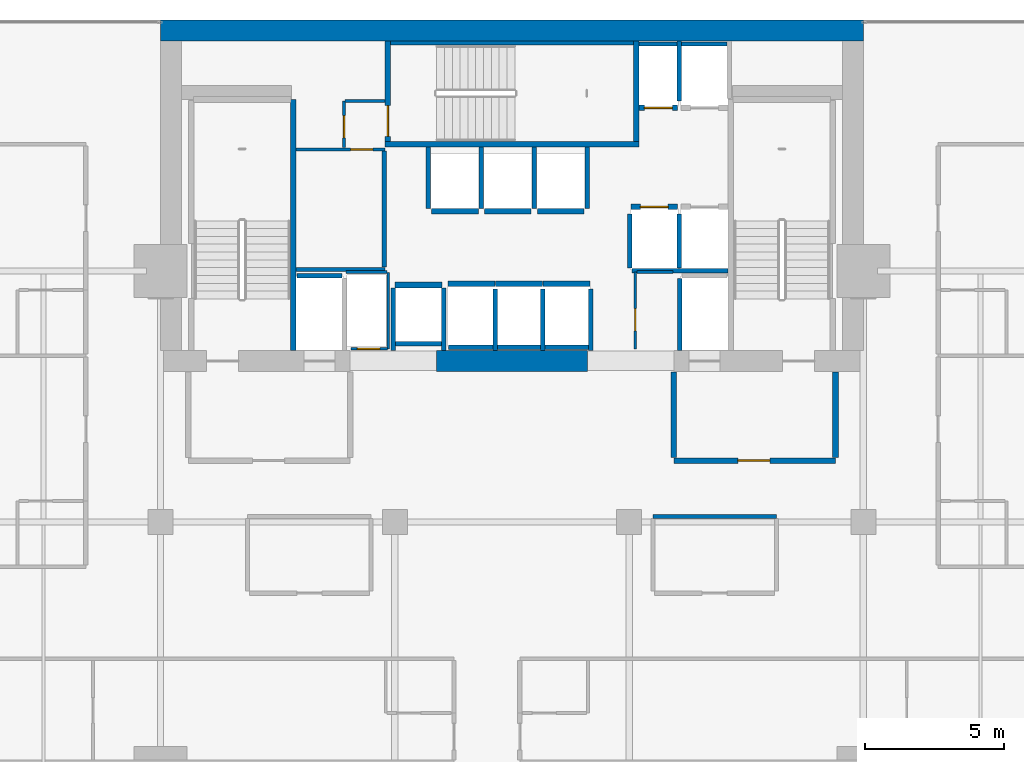
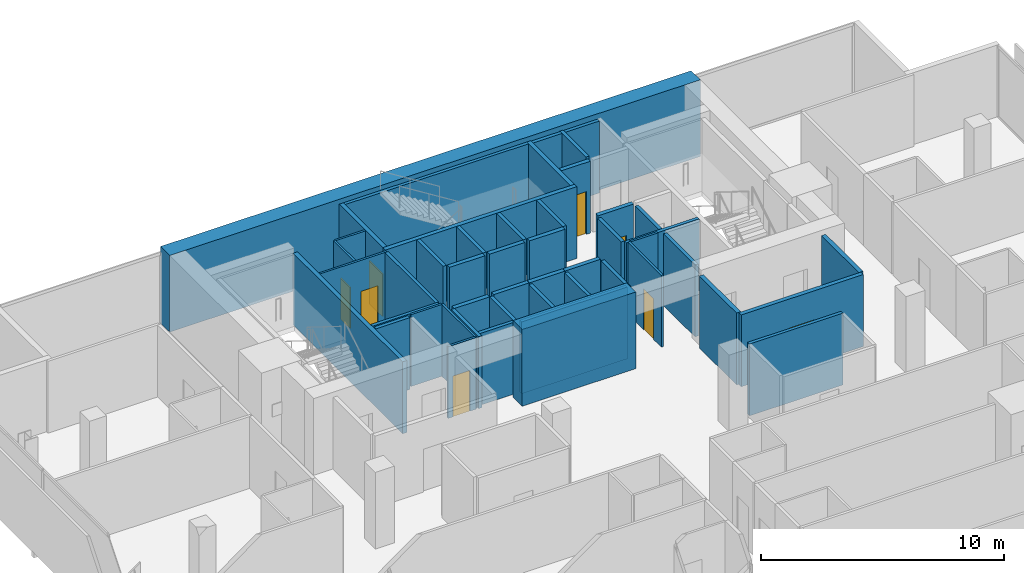
# One storey, part 30 of 34: 48 walls, 8 doors, 8 openings.
"""IFC4 building model written with IfcOpenShell, lengths in metres."""

from ifc_helpers import new_model, si_unit, direction, frame, frame_2d, origin, place, context, subcontext, project, spatial, rectangle, extrude, material, layer, layer_set, type_object, element, fill, save


model = new_model("IFC4")

# Units and contexts
model_context = context("Model", 3, precision=1e-05, world=origin(), true_north=direction((0.0, 1.0)))
body_context = subcontext(model_context, "Body", "Model", "MODEL_VIEW")
ifc_project = project(units=[si_unit("LENGTHUNIT", "METRE"), si_unit("AREAUNIT", "SQUARE_METRE"), si_unit("VOLUMEUNIT", "CUBIC_METRE"), si_unit("PLANEANGLEUNIT", "RADIAN"), si_unit("MASSUNIT", "GRAM", prefix="KILO")], contexts=[model_context])

# Site, building, storey
site_placement = place(None, origin())
site = spatial("IfcSite", under=ifc_project, at=site_placement, CompositionType="ELEMENT")
building_placement = place(site_placement, origin())
building = spatial("IfcBuilding", under=site, at=building_placement, Name="Maruvema Waterfront Hotel and Observation Tower", CompositionType="ELEMENT")
storey_placement = place(building_placement, frame((0.0, 0.0, 189.0)))
storey = spatial("IfcBuildingStorey", under=building, at=storey_placement, Name="L46", CompositionType="ELEMENT", Elevation=189.0)

# Walls
ifc_material_1 = material(Name="Twin-stud acoustic gypsum drywall", Category="gypsum")
ifc_layer_1 = layer(ifc_material_1, 0.14990234375, Name="Acoustic Corridor and Suite Demising Wall 150 mm")
ifc_layer_set_1 = layer_set([ifc_layer_1], Name="Twin-stud acoustic gypsum drywall")
wall_type_1 = type_object("IfcWallType", Name="Acoustic Corridor and Suite Demising Wall 150 mm", PredefinedType="PARTITIONING", material=ifc_layer_set_1)
wall_1_placement = place(storey_placement, frame((30.06005859375, 45.06005859375, 0.0), z_axis=(0.0, 0.0, 1.0), x_axis=(1.0, 0.0, 0.0)))
element("IfcWall", 1, at=wall_1_placement, inside=storey, type_object=wall_type_1, Name="L46 Freed B1 South Wall 012", PredefinedType="PARTITIONING", context=body_context, shape_type="SweptSolid", body=[
    extrude(rectangle(XDim=3.179931640625, YDim=0.14990234375, at=frame_2d((1.58984375, 0.0))), origin(), (0.0, 0.0, 1.0), 3.610107421875),
])
wall_2_placement = place(storey_placement, frame((33.219970703125, 45.139892578125, 0.0), z_axis=(0.0, 0.0, 1.0), x_axis=(0.0, 1.0, 0.0)))
element("IfcWall", 2, at=wall_2_placement, inside=storey, type_object=wall_type_1, Name="L46 Freed B1 East Wall 013", PredefinedType="PARTITIONING", context=body_context, shape_type="SweptSolid", body=[
    extrude(rectangle(XDim=4.16015625, YDim=0.14990234375, at=frame_2d((2.080078125, 0.0))), origin(), (0.0, 0.0, 1.0), 3.610107421875),
])
wall_3_placement = place(storey_placement, frame((42.85009765625, 36.199951171875, 0.0), z_axis=(0.0, 0.0, 1.0), x_axis=(1.0, 0.0, 0.0)))
element("IfcWall", 3, at=wall_3_placement, inside=storey, type_object=wall_type_1, Name="L46 L46-M2 Back Wall 021", PredefinedType="PARTITIONING", context=body_context, shape_type="SweptSolid", body=[
    extrude(rectangle(XDim=4.429931640625, YDim=0.14990234375, at=frame_2d((2.21484375, 0.0))), origin(), (0.0, 0.0, 1.0), 3.610107421875),
])
ifc_material_2 = material(Name="Precast concrete C45/55", Category="concrete")
ifc_layer_2 = layer(ifc_material_2, 0.14990234375, Name="Core Shaft Furring Wall 150 mm")
ifc_layer_set_2 = layer_set([ifc_layer_2], Name="Precast concrete C45/55")
wall_type_2 = type_object("IfcWallType", Name="Core Shaft Furring Wall 150 mm", PredefinedType="SOLIDWALL", material=ifc_layer_set_2)
wall_4_placement = place(storey_placement, frame((33.449951171875, 53.175048828125, 0.0), z_axis=(0.0, 0.0, 1.0), x_axis=(1.0, 0.0, 0.0)))
element("IfcWall", 4, at=wall_4_placement, inside=storey, type_object=wall_type_2, Name="L46 Stairwell ST-02 North Furring Wall", PredefinedType="SOLIDWALL", context=body_context, shape_type="SweptSolid", body=[
    extrude(rectangle(XDim=8.699951171875, YDim=0.14990234375, at=frame_2d((4.35009765625, 0.0))), origin(), (0.0, 0.0, 1.0), 3.610107421875),
])
ifc_material_3 = material(Name="Precast concrete C45/55", Category="concrete")
ifc_layer_3 = layer(ifc_material_3, 0.199951171875, Name="Core Shaft and Stairwell Enclosure Wall 200 mm")
ifc_layer_set_3 = layer_set([ifc_layer_3], Name="Precast concrete C45/55")
wall_type_3 = type_object("IfcWallType", Name="Core Shaft and Stairwell Enclosure Wall 200 mm", PredefinedType="SOLIDWALL", material=ifc_layer_set_3)
wall_5_placement = place(storey_placement, frame((29.949951171875, 42.14990234375, 0.0), z_axis=(0.0, 0.0, 1.0), x_axis=(0.0, 1.0, 0.0)))
element("IfcWall", 5, at=wall_5_placement, inside=storey, type_object=wall_type_3, Name="L46 Stairwell ST-01 East Shaft Wall", PredefinedType="SOLIDWALL", context=body_context, shape_type="SweptSolid", body=[
    extrude(rectangle(XDim=9.0, YDim=0.199951171875, at=frame_2d((4.5, 0.0))), origin(), (0.0, 0.0, 1.0), 3.610107421875),
])
wall_6_placement = place(storey_placement, frame((33.25, 49.550048828125, 0.0), z_axis=(0.0, 0.0, 1.0), x_axis=(1.0, 0.0, 0.0)))
element("IfcWall", 6, at=wall_6_placement, inside=storey, type_object=wall_type_3, Name="L46 Stairwell ST-02 Shaft Wall", PredefinedType="SOLIDWALL", context=body_context, shape_type="SweptSolid", body=[
    extrude(rectangle(XDim=9.10009765625, YDim=0.199951171875, at=frame_2d((4.550048828125, 0.0))), origin(), (0.0, 0.0, 1.0), 3.610107421875),
])
wall_7_placement = place(storey_placement, frame((42.25, 49.64990234375, 0.0), z_axis=(0.0, 0.0, 1.0), x_axis=(0.0, 1.0, 0.0)))
element("IfcWall", 7, at=wall_7_placement, inside=storey, type_object=wall_type_3, Name="L46 Stairwell ST-02 Shaft Wall", PredefinedType="SOLIDWALL", context=body_context, shape_type="SweptSolid", body=[
    extrude(rectangle(XDim=3.60009765625, YDim=0.199951171875, at=frame_2d((1.800048828125, 0.0))), origin(), (0.0, 0.0, 1.0), 3.610107421875),
])

# Wall, opening, door
wall_8_placement = place(storey_placement, frame((33.35009765625, 49.64990234375, 0.0), z_axis=(0.0, 0.0, 1.0), x_axis=(0.0, 1.0, 0.0)))
wall_8 = element("IfcWall", 8, at=wall_8_placement, inside=storey, type_object=wall_type_3, Name="L46 Stairwell ST-02 Shaft Wall", PredefinedType="SOLIDWALL", context=body_context, shape_type="SweptSolid", body=[
    extrude(rectangle(XDim=3.60009765625, YDim=0.199951171875, at=frame_2d((1.800048828125, 0.0))), origin(), (0.0, 0.0, 1.0), 3.610107421875),
])
opening_1_placement = place(wall_8_placement, frame((0.179931640625, 0.0, 0.0)))
opening_1 = element("IfcOpeningElement", 9, at=opening_1_placement, cuts=wall_8, Name="Opening SD-02", PredefinedType="OPENING", context=body_context, shape_type="SweptSolid", body=[
    extrude(rectangle(XDim=1.10009765625, YDim=2.14990234375, at=frame_2d((0.550048828125, 1.074951171875))), frame((0.0, 0.10986328125, 0.0), z_axis=(0.0, -1.0, 0.0), x_axis=(1.0, 0.0, 0.0)), (0.0, 0.0, 1.0), 0.219970703125),
])
ifc_material_4 = material(Name="Fire-rated galvanised steel leaf", Category="steel")
door_type_1 = type_object("IfcDoorType", Name="Central Exit Stair Fire Door 1100x2150 mm", OperationType="NOTDEFINED", PredefinedType="DOOR", material=ifc_material_4)
door_1_placement = place(opening_1_placement, frame((1.10009765625, 0.0, 0.0), z_axis=(0.0, 0.0, 1.0), x_axis=(-1.0, 0.0, 0.0)))
door_1 = element("IfcDoor", 10, at=door_1_placement, inside=storey, type_object=door_type_1, Name="L46 Exit Stair ST-02 Fire Door", OperationType="SINGLE_SWING_LEFT", OverallHeight=2.14990234375, OverallWidth=1.10009765625, PredefinedType="DOOR", context=body_context, shape_type="SweptSolid", body=[
    extrude(rectangle(XDim=1.10009765625, YDim=2.14990234375, at=frame_2d((0.550048828125, 1.074951171875))), frame((0.0, 0.02490234375, 0.0), z_axis=(0.0, -1.0, 0.0), x_axis=(1.0, 0.0, 0.0)), (0.0, 0.0, 1.0), 0.050048828125),
])
fill(opening_1, door_1)

wall_9_placement = place(storey_placement, frame((42.06005859375, 47.300048828125, 0.0), z_axis=(0.0, 0.0, 1.0), x_axis=(1.0, 0.0, 0.0)))
wall_9 = element("IfcWall", 11, at=wall_9_placement, inside=storey, type_object=wall_type_3, Name="L46 Lift LF-05 Hoistway Front Wall", PredefinedType="SOLIDWALL", context=body_context, shape_type="SweptSolid", body=[
    extrude(rectangle(XDim=1.679931640625, YDim=0.199951171875, at=frame_2d((0.83984375, 0.0))), origin(), (0.0, 0.0, 1.0), 3.610107421875),
])
opening_2_placement = place(wall_9_placement, frame((0.340087890625, 0.0, 0.0)))
opening_2 = element("IfcOpeningElement", 12, at=opening_2_placement, cuts=wall_9, Name="Opening LD-01", PredefinedType="OPENING", context=body_context, shape_type="SweptSolid", body=[
    extrude(rectangle(XDim=1.0, YDim=2.14990234375, at=frame_2d((0.5, 1.074951171875))), frame((0.0, 0.10986328125, 0.0), z_axis=(0.0, -1.0, 0.0), x_axis=(1.0, 0.0, 0.0)), (0.0, 0.0, 1.0), 0.219970703125),
])
ifc_material_5 = material(Name="Brushed stainless steel Grade 316", Category="steel")
door_type_2 = type_object("IfcDoorType", Name="Passenger Lift Sliding Landing Door 1000x2150 mm", OperationType="SLIDING_TO_LEFT", PredefinedType="DOOR", material=ifc_material_5)
door_2_placement = place(opening_2_placement, origin())
door_2 = element("IfcDoor", 13, at=door_2_placement, inside=storey, type_object=door_type_2, Name="L46 Lift LF-05 Sliding Landing Door", OperationType="SLIDING_TO_LEFT", OverallHeight=2.14990234375, OverallWidth=1.0, PredefinedType="DOOR", context=body_context, shape_type="SweptSolid", body=[
    extrude(rectangle(XDim=1.0, YDim=2.14990234375, at=frame_2d((0.5, 1.074951171875))), frame((0.0, 0.02490234375, 0.0), z_axis=(0.0, -1.0, 0.0), x_axis=(1.0, 0.0, 0.0)), (0.0, 0.0, 1.0), 0.050048828125),
])
fill(opening_2, door_2)

wall_10_placement = place(storey_placement, frame((42.360107421875, 50.85009765625, 0.0), z_axis=(0.0, 0.0, 1.0), x_axis=(1.0, 0.0, 0.0)))
wall_10 = element("IfcWall", 14, at=wall_10_placement, inside=storey, type_object=wall_type_3, Name="L46 Lift LF-07 Hoistway Front Wall", PredefinedType="SOLIDWALL", context=body_context, shape_type="SweptSolid", body=[
    extrude(rectangle(XDim=1.3798828125, YDim=0.199951171875, at=frame_2d((0.68994140625, 0.0))), origin(), (0.0, 0.0, 1.0), 3.610107421875),
])
opening_3_placement = place(wall_10_placement, frame((0.18994140625, 0.0, 0.0)))
opening_3 = element("IfcOpeningElement", 15, at=opening_3_placement, cuts=wall_10, Name="Opening LD-01", PredefinedType="OPENING", context=body_context, shape_type="SweptSolid", body=[
    extrude(rectangle(XDim=1.0, YDim=2.14990234375, at=frame_2d((0.5, 1.074951171875))), frame((0.0, 0.10986328125, 0.0), z_axis=(0.0, -1.0, 0.0), x_axis=(1.0, 0.0, 0.0)), (0.0, 0.0, 1.0), 0.219970703125),
])
door_3_placement = place(opening_3_placement, frame((1.0, 0.0, 0.0), z_axis=(0.0, 0.0, 1.0), x_axis=(-1.0, 0.0, 0.0)))
door_3 = element("IfcDoor", 16, at=door_3_placement, inside=storey, type_object=door_type_2, Name="L46 Lift LF-07 Sliding Landing Door", OperationType="SLIDING_TO_LEFT", OverallHeight=2.14990234375, OverallWidth=1.0, PredefinedType="DOOR", context=body_context, shape_type="SweptSolid", body=[
    extrude(rectangle(XDim=1.0, YDim=2.14990234375, at=frame_2d((0.5, 1.074951171875))), frame((0.0, 0.02490234375, 0.0), z_axis=(0.0, -1.0, 0.0), x_axis=(1.0, 0.0, 0.0)), (0.0, 0.0, 1.0), 0.050048828125),
])
fill(opening_3, door_3)

# Walls
for number, where, z_axis, x_axis, name in (
    (17, (35.510009765625, 44.550048828125, 0.0), (0.0, 0.0, 1.0), (1.0, 0.0, 0.0), "L46 Lift LF-09 Hoistway Front Wall"),
    (18, (37.2099609375, 44.550048828125, 0.0), (0.0, 0.0, 1.0), (1.0, 0.0, 0.0), "L46 Lift LF-10 Hoistway Front Wall"),
):
    element("IfcWall", number, at=place(storey_placement, frame(where, z_axis=z_axis, x_axis=x_axis)), inside=storey, type_object=wall_type_3, Name=name, PredefinedType="SOLIDWALL", context=body_context, shape_type="SweptSolid", body=[
        extrude(rectangle(XDim=1.679931640625, YDim=0.199951171875, at=frame_2d((0.83984375, 0.0))), origin(), (0.0, 0.0, 1.0), 3.610107421875),
    ])
for number, where, z_axis, x_axis, name in (
    (19, (38.909912109375, 44.550048828125, 0.0), (0.0, 0.0, 1.0), (1.0, 0.0, 0.0), "L46 Lift LF-11 Hoistway Front Wall"),
    (20, (34.909912109375, 47.14990234375, 0.0), (0.0, 0.0, 1.0), (1.0, 0.0, 0.0), "L46 Lift LF-12 Hoistway Front Wall"),
):
    element("IfcWall", number, at=place(storey_placement, frame(where, z_axis=z_axis, x_axis=x_axis)), inside=storey, type_object=wall_type_3, Name=name, PredefinedType="SOLIDWALL", context=body_context, shape_type="SweptSolid", body=[
        extrude(rectangle(XDim=1.68017578125, YDim=0.199951171875, at=frame_2d((0.840087890625, 0.0))), origin(), (0.0, 0.0, 1.0), 3.610107421875),
    ])
for number, where, z_axis, x_axis, name in (
    (21, (36.81005859375, 47.14990234375, 0.0), (0.0, 0.0, 1.0), (1.0, 0.0, 0.0), "L46 Lift LF-13 Hoistway Front Wall"),
    (22, (38.7099609375, 47.14990234375, 0.0), (0.0, 0.0, 1.0), (1.0, 0.0, 0.0), "L46 Lift LF-14 Hoistway Front Wall"),
    (23, (33.610107421875, 44.5, 0.0), (0.0, 0.0, 1.0), (1.0, 0.0, 0.0), "L46 Lift LF-15 Hoistway Front Wall"),
):
    element("IfcWall", number, at=place(storey_placement, frame(where, z_axis=z_axis, x_axis=x_axis)), inside=storey, type_object=wall_type_3, Name=name, PredefinedType="SOLIDWALL", context=body_context, shape_type="SweptSolid", body=[
        extrude(rectangle(XDim=1.679931640625, YDim=0.199951171875, at=frame_2d((0.83984375, 0.0))), origin(), (0.0, 0.0, 1.0), 3.610107421875),
    ])
ifc_material_6 = material(Name="Concrete C70/85", Category="concrete")
ifc_layer_4 = layer(ifc_material_6, 0.75, Name="Core Shear Wall 750 mm")
ifc_layer_set_4 = layer_set([ifc_layer_4], Name="Concrete C70/85")
wall_type_4 = type_object("IfcWallType", Name="Core Shear Wall 750 mm", PredefinedType="SHEAR", material=ifc_layer_set_4)
wall_11_placement = place(storey_placement, frame((25.199951171875, 53.625, 0.0), z_axis=(0.0, 0.0, 1.0), x_axis=(1.0, 0.0, 0.0)))
element("IfcWall", 24, at=wall_11_placement, inside=storey, type_object=wall_type_4, Name="L46 North Core Shear Wall", PredefinedType="SHEAR", context=body_context, shape_type="SweptSolid", body=[
    extrude(rectangle(XDim=25.199951171875, YDim=0.75, at=frame_2d((12.60009765625, 0.0))), origin(), (0.0, 0.0, 1.0), 3.85009765625),
])
wall_12_placement = place(storey_placement, frame((35.10009765625, 41.77490234375, 0.0), z_axis=(0.0, 0.0, 1.0), x_axis=(1.0, 0.0, 0.0)))
element("IfcWall", 25, at=wall_12_placement, inside=storey, type_object=wall_type_4, Name="L46 South-Central Core Shear Wall", PredefinedType="SHEAR", context=body_context, shape_type="SweptSolid", body=[
    extrude(rectangle(XDim=5.39990234375, YDim=0.75, at=frame_2d((2.699951171875, 0.0))), origin(), (0.0, 0.0, 1.0), 3.85009765625),
])

# Wall, opening, door
ifc_material_7 = material(Name="Moisture-resistant cement-board drywall", Category="gypsum")
ifc_layer_5 = layer(ifc_material_7, 0.10009765625, Name="En-Suite Moisture-Resistant Partition 100 mm")
ifc_layer_set_5 = layer_set([ifc_layer_5], Name="Moisture-resistant cement-board drywall")
wall_type_5 = type_object("IfcWallType", Name="En-Suite Moisture-Resistant Partition 100 mm", PredefinedType="PARTITIONING", material=ifc_layer_set_5)
wall_13_placement = place(storey_placement, frame((32.02001953125, 42.2099609375, 0.0), z_axis=(0.0, 0.0, 1.0), x_axis=(1.0, 0.0, 0.0)))
wall_13 = element("IfcWall", 26, at=wall_13_placement, inside=storey, type_object=wall_type_5, Name="L46 Telecom Riser South Wall 007", PredefinedType="PARTITIONING", context=body_context, shape_type="SweptSolid", body=[
    extrude(rectangle(XDim=1.320068359375, YDim=0.10009765625, at=frame_2d((0.66015625, 0.0))), origin(), (0.0, 0.0, 1.0), 3.610107421875),
])
opening_4_placement = place(wall_13_placement, frame((0.239990234375, 0.0, 0.0)))
opening_4 = element("IfcOpeningElement", 27, at=opening_4_placement, cuts=wall_13, Name="Opening DR-080", PredefinedType="OPENING", context=body_context, shape_type="SweptSolid", body=[
    extrude(rectangle(XDim=0.800048828125, YDim=2.050048828125, at=frame_2d((0.39990234375, 1.02490234375))), frame((0.0, 0.06005859375, 0.0), z_axis=(0.0, -1.0, 0.0), x_axis=(1.0, 0.0, 0.0)), (0.0, 0.0, 1.0), 0.1201171875),
])
ifc_material_8 = material(Name="Powder-coated steel access leaf", Category="steel")
door_type_3 = type_object("IfcDoorType", Name="Riser and Service Cupboard Door 800x2050 mm", OperationType="NOTDEFINED", PredefinedType="DOOR", material=ifc_material_8)
door_4_placement = place(opening_4_placement, frame((0.800048828125, 0.0, 0.0), z_axis=(0.0, 0.0, 1.0), x_axis=(-1.0, 0.0, 0.0)))
door_4 = element("IfcDoor", 28, at=door_4_placement, inside=storey, type_object=door_type_3, Name="L46 Telecom Riser Door", OperationType="SINGLE_SWING_LEFT", OverallHeight=2.050048828125, OverallWidth=0.800048828125, PredefinedType="DOOR", context=body_context, shape_type="SweptSolid", body=[
    extrude(rectangle(XDim=0.800048828125, YDim=2.050048828125, at=frame_2d((0.39990234375, 1.02490234375))), frame((0.0, 0.02490234375, 0.0), z_axis=(0.0, -1.0, 0.0), x_axis=(1.0, 0.0, 0.0)), (0.0, 0.0, 1.0), 0.050048828125),
])
fill(opening_4, door_4)

# Walls
wall_14_placement = place(storey_placement, frame((31.840087890625, 44.9599609375, 0.0), z_axis=(0.0, 0.0, 1.0), x_axis=(1.0, 0.0, 0.0)))
element("IfcWall", 29, at=wall_14_placement, inside=storey, type_object=wall_type_5, Name="L46 Telecom Riser North Wall 008", PredefinedType="PARTITIONING", context=body_context, shape_type="SweptSolid", body=[
    extrude(rectangle(XDim=1.47998046875, YDim=0.10009765625, at=frame_2d((0.739990234375, 0.0))), origin(), (0.0, 0.0, 1.0), 3.610107421875),
])
wall_15_placement = place(storey_placement, frame((33.360107421875, 42.2099609375, 0.0), z_axis=(0.0, 0.0, 1.0), x_axis=(0.0, 1.0, 0.0)))
element("IfcWall", 30, at=wall_15_placement, inside=storey, type_object=wall_type_5, Name="L46 Telecom Riser East Wall 009", PredefinedType="PARTITIONING", context=body_context, shape_type="SweptSolid", body=[
    extrude(rectangle(XDim=2.72998046875, YDim=0.10009765625, at=frame_2d((1.364990234375, 0.0))), origin(), (0.0, 0.0, 1.0), 3.610107421875),
])

# Wall, opening, door
wall_16_placement = place(storey_placement, frame((42.219970703125, 42.199951171875, 0.0), z_axis=(0.0, 0.0, 1.0), x_axis=(0.0, 1.0, 0.0)))
wall_16 = element("IfcWall", 31, at=wall_16_placement, inside=storey, type_object=wall_type_5, Name="L46 Core Closet K1 West 010", PredefinedType="PARTITIONING", context=body_context, shape_type="SweptSolid", body=[
    extrude(rectangle(XDim=2.760009765625, YDim=0.10009765625, at=frame_2d((1.3798828125, 0.0))), origin(), (0.0, 0.0, 1.0), 3.610107421875),
])
opening_5_placement = place(wall_16_placement, frame((0.64990234375, 0.0, 0.0)))
opening_5 = element("IfcOpeningElement", 32, at=opening_5_placement, cuts=wall_16, Name="Opening DR-080", PredefinedType="OPENING", context=body_context, shape_type="SweptSolid", body=[
    extrude(rectangle(XDim=0.800048828125, YDim=2.050048828125, at=frame_2d((0.39990234375, 1.02490234375))), frame((0.0, 0.06005859375, 0.0), z_axis=(0.0, -1.0, 0.0), x_axis=(1.0, 0.0, 0.0)), (0.0, 0.0, 1.0), 0.1201171875),
])
door_5_placement = place(opening_5_placement, frame((0.800048828125, 0.0, 0.0), z_axis=(0.0, 0.0, 1.0), x_axis=(-1.0, 0.0, 0.0)))
door_5 = element("IfcDoor", 33, at=door_5_placement, inside=storey, type_object=door_type_3, Name="L46 Core Cleaning Store Door", OperationType="SINGLE_SWING_RIGHT", OverallHeight=2.050048828125, OverallWidth=0.800048828125, PredefinedType="DOOR", context=body_context, shape_type="SweptSolid", body=[
    extrude(rectangle(XDim=0.800048828125, YDim=2.050048828125, at=frame_2d((0.39990234375, 1.02490234375))), frame((0.0, 0.02490234375, 0.0), z_axis=(0.0, -1.0, 0.0), x_axis=(1.0, 0.0, 0.0)), (0.0, 0.0, 1.0), 0.050048828125),
])
fill(opening_5, door_5)

# Wall
wall_17_placement = place(storey_placement, frame((42.280029296875, 44.9599609375, 0.0), z_axis=(0.0, 0.0, 1.0), x_axis=(1.0, 0.0, 0.0)))
element("IfcWall", 34, at=wall_17_placement, inside=storey, type_object=wall_type_5, Name="L46 Core Closet K1 North 011", PredefinedType="PARTITIONING", context=body_context, shape_type="SweptSolid", body=[
    extrude(rectangle(XDim=1.300048828125, YDim=0.10009765625, at=frame_2d((0.64990234375, 0.0))), origin(), (0.0, 0.0, 1.0), 3.610107421875),
])

# Wall, opening, door
wall_18_placement = place(storey_placement, frame((30.06005859375, 49.360107421875, 0.0), z_axis=(0.0, 0.0, 1.0), x_axis=(1.0, 0.0, 0.0)))
wall_18 = element("IfcWall", 35, at=wall_18_placement, inside=storey, type_object=wall_type_5, Name="L46 Freed B1 Mid Wall 014", PredefinedType="PARTITIONING", context=body_context, shape_type="SweptSolid", body=[
    extrude(rectangle(XDim=3.179931640625, YDim=0.10009765625, at=frame_2d((1.58984375, 0.0))), origin(), (0.0, 0.0, 1.0), 3.610107421875),
])
opening_6_placement = place(wall_18_placement, frame((1.949951171875, 0.0, 0.0)))
opening_6 = element("IfcOpeningElement", 36, at=opening_6_placement, cuts=wall_18, Name="Opening DR-080", PredefinedType="OPENING", context=body_context, shape_type="SweptSolid", body=[
    extrude(rectangle(XDim=0.800048828125, YDim=2.050048828125, at=frame_2d((0.39990234375, 1.02490234375))), frame((0.0, 0.06005859375, 0.0), z_axis=(0.0, -1.0, 0.0), x_axis=(1.0, 0.0, 0.0)), (0.0, 0.0, 1.0), 0.1201171875),
])
door_6_placement = place(opening_6_placement, origin())
door_6 = element("IfcDoor", 37, at=door_6_placement, inside=storey, type_object=door_type_3, Name="L46 Housekeeping and Linen Room Door", OperationType="SINGLE_SWING_LEFT", OverallHeight=2.050048828125, OverallWidth=0.800048828125, PredefinedType="DOOR", context=body_context, shape_type="SweptSolid", body=[
    extrude(rectangle(XDim=0.800048828125, YDim=2.050048828125, at=frame_2d((0.39990234375, 1.02490234375))), frame((0.0, 0.02490234375, 0.0), z_axis=(0.0, -1.0, 0.0), x_axis=(1.0, 0.0, 0.0)), (0.0, 0.0, 1.0), 0.050048828125),
])
fill(opening_6, door_6)

wall_19_placement = place(storey_placement, frame((31.780029296875, 49.419921875, 0.0), z_axis=(0.0, 0.0, 1.0), x_axis=(0.0, 1.0, 0.0)))
wall_19 = element("IfcWall", 38, at=wall_19_placement, inside=storey, type_object=wall_type_5, Name="L46 Freed B1 NW East Wall 015", PredefinedType="PARTITIONING", context=body_context, shape_type="SweptSolid", body=[
    extrude(rectangle(XDim=1.68017578125, YDim=0.10009765625, at=frame_2d((0.840087890625, 0.0))), origin(), (0.0, 0.0, 1.0), 3.610107421875),
])
opening_7_placement = place(wall_19_placement, frame((0.35009765625, 0.0, 0.0)))
opening_7 = element("IfcOpeningElement", 39, at=opening_7_placement, cuts=wall_19, Name="Opening DR-080", PredefinedType="OPENING", context=body_context, shape_type="SweptSolid", body=[
    extrude(rectangle(XDim=0.800048828125, YDim=2.050048828125, at=frame_2d((0.39990234375, 1.02490234375))), frame((0.0, 0.06005859375, 0.0), z_axis=(0.0, -1.0, 0.0), x_axis=(1.0, 0.0, 0.0)), (0.0, 0.0, 1.0), 0.1201171875),
])
door_7_placement = place(opening_7_placement, origin())
door_7 = element("IfcDoor", 40, at=door_7_placement, inside=storey, type_object=door_type_3, Name="L46 Guest Floor Pantry Door", OperationType="SINGLE_SWING_RIGHT", OverallHeight=2.050048828125, OverallWidth=0.800048828125, PredefinedType="DOOR", context=body_context, shape_type="SweptSolid", body=[
    extrude(rectangle(XDim=0.800048828125, YDim=2.050048828125, at=frame_2d((0.39990234375, 1.02490234375))), frame((0.0, 0.02490234375, 0.0), z_axis=(0.0, -1.0, 0.0), x_axis=(1.0, 0.0, 0.0)), (0.0, 0.0, 1.0), 0.050048828125),
])
fill(opening_7, door_7)

# Wall
wall_20_placement = place(storey_placement, frame((31.820068359375, 51.10009765625, 0.0), z_axis=(0.0, 0.0, 1.0), x_axis=(1.0, 0.0, 0.0)))
element("IfcWall", 41, at=wall_20_placement, inside=storey, type_object=wall_type_5, Name="L46 Freed B1 Vestibule North Wall 016", PredefinedType="PARTITIONING", context=body_context, shape_type="SweptSolid", body=[
    extrude(rectangle(XDim=1.419921875, YDim=0.10009765625, at=frame_2d((0.7099609375, 0.0))), origin(), (0.0, 0.0, 1.0), 3.610107421875),
])

# Wall, opening, door
ifc_material_9 = material(Name="Autoclaved cellular concrete blockwork", Category="masonry")
ifc_layer_6 = layer(ifc_material_9, 0.199951171875, Name="Fire Compartment Masonry Wall 200 mm")
ifc_layer_set_6 = layer_set([ifc_layer_6], Name="Autoclaved cellular concrete blockwork")
wall_type_6 = type_object("IfcWallType", Name="Fire Compartment Masonry Wall 200 mm", PredefinedType="PARTITIONING", material=ifc_layer_set_6)
wall_21_placement = place(storey_placement, frame((43.60009765625, 38.199951171875, 0.0), z_axis=(0.0, 0.0, 1.0), x_axis=(1.0, 0.0, 0.0)))
wall_21 = element("IfcWall", 42, at=wall_21_placement, inside=storey, type_object=wall_type_6, Name="L46 FFL East South Wall 004", PredefinedType="PARTITIONING", context=body_context, shape_type="SweptSolid", body=[
    extrude(rectangle(XDim=5.7998046875, YDim=0.199951171875, at=frame_2d((2.89990234375, 0.0))), origin(), (0.0, 0.0, 1.0), 3.610107421875),
])
opening_8_placement = place(wall_21_placement, frame((2.300048828125, 0.0, 0.0)))
opening_8 = element("IfcOpeningElement", 43, at=opening_8_placement, cuts=wall_21, Name="Opening FD-115", PredefinedType="OPENING", context=body_context, shape_type="SweptSolid", body=[
    extrude(rectangle(XDim=1.14990234375, YDim=2.14990234375, at=frame_2d((0.574951171875, 1.074951171875))), frame((0.0, 0.10986328125, 0.0), z_axis=(0.0, -1.0, 0.0), x_axis=(1.0, 0.0, 0.0)), (0.0, 0.0, 1.0), 0.219970703125),
])
ifc_material_10 = material(Name="Fire-rated galvanised steel and vision glass", Category="steel")
door_type_4 = type_object("IfcDoorType", Name="Firefighting Lobby Fire Door 1150x2150 mm", OperationType="NOTDEFINED", PredefinedType="DOOR", material=ifc_material_10)
door_8_placement = place(opening_8_placement, frame((1.14990234375, 0.0, 0.0), z_axis=(0.0, 0.0, 1.0), x_axis=(-1.0, 0.0, 0.0)))
door_8 = element("IfcDoor", 44, at=door_8_placement, inside=storey, type_object=door_type_4, Name="L46 Firefighting Lobby East Door", OperationType="SINGLE_SWING_RIGHT", OverallHeight=2.14990234375, OverallWidth=1.14990234375, PredefinedType="DOOR", context=body_context, shape_type="SweptSolid", body=[
    extrude(rectangle(XDim=1.14990234375, YDim=2.14990234375, at=frame_2d((0.574951171875, 1.074951171875))), frame((0.0, 0.02490234375, 0.0), z_axis=(0.0, -1.0, 0.0), x_axis=(1.0, 0.0, 0.0)), (0.0, 0.0, 1.0), 0.050048828125),
])
fill(opening_8, door_8)

# Walls
for number, where, z_axis, x_axis, name in (
    (45, (43.60009765625, 38.31005859375, 0.0), (0.0, 0.0, 1.0), (0.0, 1.0, 0.0), "L46 FFL East West Wall 005"),
    (46, (49.39990234375, 38.31005859375, 0.0), (0.0, 0.0, 1.0), (0.0, 1.0, 0.0), "L46 FFL East East Wall 006"),
):
    element("IfcWall", number, at=place(storey_placement, frame(where, z_axis=z_axis, x_axis=x_axis)), inside=storey, type_object=wall_type_6, Name=name, PredefinedType="PARTITIONING", context=body_context, shape_type="SweptSolid", body=[
        extrude(rectangle(XDim=3.06982421875, YDim=0.199951171875, at=frame_2d((1.534912109375, 0.0))), origin(), (0.0, 0.0, 1.0), 3.610107421875),
    ])
ifc_material_11 = material(Name="Precast concrete C45/55", Category="concrete")
ifc_layer_7 = layer(ifc_material_11, 0.159912109375, Name="Lift Hoistway Divider Wall 160 mm")
ifc_layer_set_7 = layer_set([ifc_layer_7], Name="Precast concrete C45/55")
wall_type_7 = type_object("IfcWallType", Name="Lift Hoistway Divider Wall 160 mm", PredefinedType="SOLIDWALL", material=ifc_layer_set_7)
wall_22_placement = place(storey_placement, frame((30.10009765625, 44.830078125, 0.0), z_axis=(0.0, 0.0, 1.0), x_axis=(1.0, 0.0, 0.0)))
element("IfcWall", 47, at=wall_22_placement, inside=storey, type_object=wall_type_7, Name="L46 Lift FL-01 Rear Hoistway Wall", PredefinedType="SOLIDWALL", context=body_context, shape_type="SweptSolid", body=[
    extrude(rectangle(XDim=1.599853515625, YDim=0.159912109375, at=frame_2d((0.7998046875, 0.0))), origin(), (0.0, 0.0, 1.0), 3.610107421875),
])
wall_23_placement = place(storey_placement, frame((43.820068359375, 42.14990234375, 0.0), z_axis=(0.0, 0.0, 1.0), x_axis=(0.0, 1.0, 0.0)))
element("IfcWall", 48, at=wall_23_placement, inside=storey, type_object=wall_type_7, Name="L46 Lift FL-02 Inner Hoistway Wall", PredefinedType="SOLIDWALL", context=body_context, shape_type="SweptSolid", body=[
    extrude(rectangle(XDim=2.590087890625, YDim=0.159912109375, at=frame_2d((1.294921875, 0.0))), origin(), (0.0, 0.0, 1.0), 3.610107421875),
])
for number, where, z_axis, x_axis, name in (
    (49, (42.02001953125, 45.10009765625, 0.0), (0.0, 0.0, 1.0), (0.0, 1.0, 0.0), "L46 Hoistway Divider Wall"),
    (50, (43.800048828125, 45.10009765625, 0.0), (0.0, 0.0, 1.0), (0.0, 1.0, 0.0), "L46 Hoistway Divider Wall"),
):
    element("IfcWall", number, at=place(storey_placement, frame(where, z_axis=z_axis, x_axis=x_axis)), inside=storey, type_object=wall_type_7, Name=name, PredefinedType="SOLIDWALL", context=body_context, shape_type="SweptSolid", body=[
        extrude(rectangle(XDim=1.949951171875, YDim=0.159912109375, at=frame_2d((0.97509765625, 0.0))), origin(), (0.0, 0.0, 1.0), 3.610107421875),
    ])
wall_24_placement = place(storey_placement, frame((42.10009765625, 45.010009765625, 0.0), z_axis=(0.0, 0.0, 1.0), x_axis=(1.0, 0.0, 0.0)))
element("IfcWall", 51, at=wall_24_placement, inside=storey, type_object=wall_type_7, Name="L46 Hoistway Divider Wall", PredefinedType="SOLIDWALL", context=body_context, shape_type="SweptSolid", body=[
    extrude(rectangle(XDim=3.449951171875, YDim=0.159912109375, at=frame_2d((1.72509765625, 0.0))), origin(), (0.0, 0.0, 1.0), 3.610107421875),
])
wall_25_placement = place(storey_placement, frame((43.800048828125, 51.10009765625, 0.0), z_axis=(0.0, 0.0, 1.0), x_axis=(0.0, 1.0, 0.0)))
element("IfcWall", 52, at=wall_25_placement, inside=storey, type_object=wall_type_7, Name="L46 Hoistway Divider Wall", PredefinedType="SOLIDWALL", context=body_context, shape_type="SweptSolid", body=[
    extrude(rectangle(XDim=2.14990234375, YDim=0.159912109375, at=frame_2d((1.074951171875, 0.0))), origin(), (0.0, 0.0, 1.0), 3.610107421875),
])
wall_26_placement = place(storey_placement, frame((42.360107421875, 53.139892578125, 0.0), z_axis=(0.0, 0.0, 1.0), x_axis=(1.0, 0.0, 0.0)))
element("IfcWall", 53, at=wall_26_placement, inside=storey, type_object=wall_type_7, Name="L46 Hoistway Divider Wall", PredefinedType="SOLIDWALL", context=body_context, shape_type="SweptSolid", body=[
    extrude(rectangle(XDim=3.139892578125, YDim=0.159912109375, at=frame_2d((1.56982421875, 0.0))), origin(), (0.0, 0.0, 1.0), 3.610107421875),
])
for number, where, z_axis, x_axis, name in (
    (54, (37.199951171875, 42.14990234375, 0.0), (0.0, 0.0, 1.0), (0.0, 1.0, 0.0), "L46 Hoistway Divider Wall"),
    (55, (38.89990234375, 42.14990234375, 0.0), (0.0, 0.0, 1.0), (0.0, 1.0, 0.0), "L46 Hoistway Divider Wall"),
    (56, (40.6201171875, 42.14990234375, 0.0), (0.0, 0.0, 1.0), (0.0, 1.0, 0.0), "L46 Hoistway Divider Wall"),
):
    element("IfcWall", number, at=place(storey_placement, frame(where, z_axis=z_axis, x_axis=x_axis)), inside=storey, type_object=wall_type_7, Name=name, PredefinedType="SOLIDWALL", context=body_context, shape_type="SweptSolid", body=[
        extrude(rectangle(XDim=2.2001953125, YDim=0.159912109375, at=frame_2d((1.10009765625, 0.0))), origin(), (0.0, 0.0, 1.0), 3.610107421875),
    ])
wall_27_placement = place(storey_placement, frame((35.52001953125, 42.260009765625, 0.0), z_axis=(0.0, 0.0, 1.0), x_axis=(1.0, 0.0, 0.0)))
element("IfcWall", 57, at=wall_27_placement, inside=storey, type_object=wall_type_7, Name="L46 Hoistway Divider Wall", PredefinedType="SOLIDWALL", context=body_context, shape_type="SweptSolid", body=[
    extrude(rectangle(XDim=5.02001953125, YDim=0.159912109375, at=frame_2d((2.510009765625, 0.0))), origin(), (0.0, 0.0, 1.0), 3.610107421875),
])
for number, where, z_axis, x_axis, name in (
    (58, (34.800048828125, 47.25, 0.0), (0.0, 0.0, 1.0), (0.0, 1.0, 0.0), "L46 Hoistway Divider Wall"),
    (59, (36.699951171875, 47.25, 0.0), (0.0, 0.0, 1.0), (0.0, 1.0, 0.0), "L46 Hoistway Divider Wall"),
    (60, (38.60009765625, 47.25, 0.0), (0.0, 0.0, 1.0), (0.0, 1.0, 0.0), "L46 Hoistway Divider Wall"),
    (61, (40.5, 47.25, 0.0), (0.0, 0.0, 1.0), (0.0, 1.0, 0.0), "L46 Hoistway Divider Wall"),
):
    element("IfcWall", number, at=place(storey_placement, frame(where, z_axis=z_axis, x_axis=x_axis)), inside=storey, type_object=wall_type_7, Name=name, PredefinedType="SOLIDWALL", context=body_context, shape_type="SweptSolid", body=[
        extrude(rectangle(XDim=2.18994140625, YDim=0.159912109375, at=frame_2d((1.094970703125, 0.0))), origin(), (0.0, 0.0, 1.0), 3.610107421875),
    ])
for number, where, z_axis, x_axis, name in (
    (62, (33.5400390625, 42.14990234375, 0.0), (0.0, 0.0, 1.0), (0.0, 1.0, 0.0), "L46 Hoistway Divider Wall"),
    (63, (35.360107421875, 42.14990234375, 0.0), (0.0, 0.0, 1.0), (0.0, 1.0, 0.0), "L46 Hoistway Divider Wall"),
):
    element("IfcWall", number, at=place(storey_placement, frame(where, z_axis=z_axis, x_axis=x_axis)), inside=storey, type_object=wall_type_7, Name=name, PredefinedType="SOLIDWALL", context=body_context, shape_type="SweptSolid", body=[
        extrude(rectangle(XDim=2.25, YDim=0.159912109375, at=frame_2d((1.125, 0.0))), origin(), (0.0, 0.0, 1.0), 3.610107421875),
    ])
wall_28_placement = place(storey_placement, frame((33.6201171875, 42.39990234375, 0.0), z_axis=(0.0, 0.0, 1.0), x_axis=(1.0, 0.0, 0.0)))
element("IfcWall", 64, at=wall_28_placement, inside=storey, type_object=wall_type_7, Name="L46 Hoistway Divider Wall", PredefinedType="SOLIDWALL", context=body_context, shape_type="SweptSolid", body=[
    extrude(rectangle(XDim=1.659912109375, YDim=0.159912109375, at=frame_2d((0.830078125, 0.0))), origin(), (0.0, 0.0, 1.0), 3.610107421875),
])

save(model, "model.ifc")
